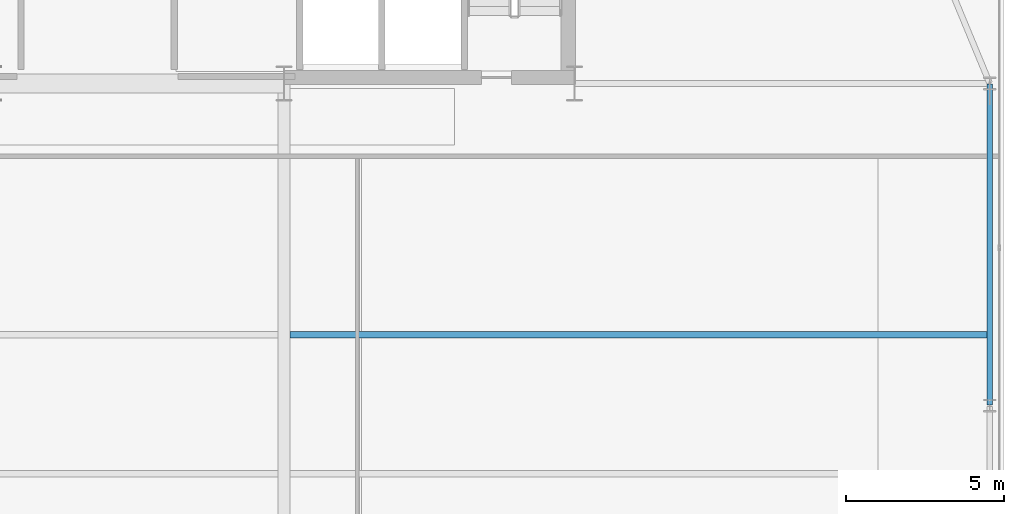
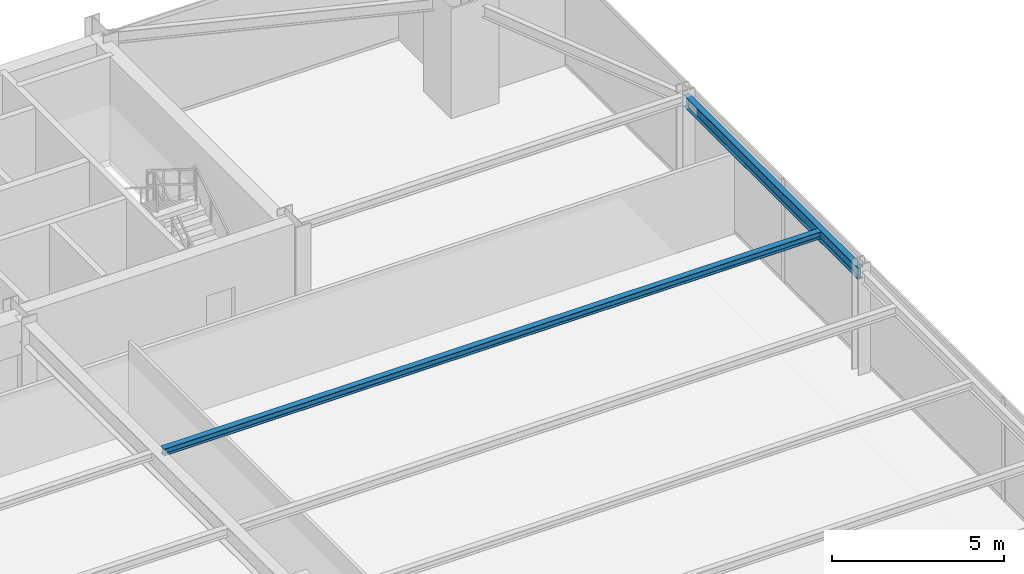
# One storey, part 19 of 32: 2 beams.
"""IFC4 building model written with IfcOpenShell, lengths in metres."""

from ifc_helpers import new_model, si_unit, direction, frame, origin, origin_2d, place, context, subcontext, project, spatial, i_section, extrude, source, transform, mapped, material, material_profile, profile_set, type_object, type_shapes, element, save


model = new_model("IFC4")

# Units and contexts
model_context = context("Model", 3, precision=1e-05, world=origin(), true_north=direction((0.0, 1.0)))
body_context = subcontext(model_context, "Body", "Model", "MODEL_VIEW")
ifc_project = project(units=[si_unit("LENGTHUNIT", "METRE"), si_unit("AREAUNIT", "SQUARE_METRE"), si_unit("VOLUMEUNIT", "CUBIC_METRE"), si_unit("PLANEANGLEUNIT", "RADIAN"), si_unit("MASSUNIT", "GRAM", prefix="KILO")], contexts=[model_context])

# Site, building, storey
site_placement = place(None, origin())
site = spatial("IfcSite", under=ifc_project, at=site_placement, CompositionType="ELEMENT")
building_placement = place(site_placement, origin())
building = spatial("IfcBuilding", under=site, at=building_placement, Name="Varnel Quay Broadcast Tower", CompositionType="ELEMENT")
storey_placement = place(building_placement, frame((0.0, 0.0, 54.89990234375)))
storey = spatial("IfcBuildingStorey", under=building, at=storey_placement, Name="L12", CompositionType="ELEMENT", Elevation=54.89990234375)

# Beams
ifc_material = material(Name="Structural Steel CSA G40.21 350W", Category="steel")
ifc_material_profile_1 = material_profile(ifc_material, i_section(OverallWidth=0.180908203125, OverallDepth=0.4169921875, WebThickness=0.010986328125, FlangeThickness=0.018310546875, FilletRadius=0.011962890625, at=origin_2d()), Name="W410X85")
ifc_profile_set_1 = profile_set([ifc_material_profile_1], Name="Structural Steel CSA G40.21 350W")
beam_type_1 = type_object("IfcBeamType", Name="Beam_W410X85", PredefinedType="SPANDREL", material=ifc_profile_set_1)
shared_shape_1 = source(origin(), body_context, "Body", "SweptSolid", [
    extrude(i_section(OverallWidth=0.180908203125, OverallDepth=0.4169921875, WebThickness=0.010986328125, FlangeThickness=0.018310546875, FilletRadius=0.011962890625, at=origin_2d()), origin(), (0.0, 0.0, 1.0), 10.16015625),
])
type_shapes(beam_type_1, [shared_shape_1])
beam_1_placement = place(storey_placement, frame((65.550048828125, 25.419921875, 3.441650390625), z_axis=(0.0, 1.0, 0.0), x_axis=(-1.0, 0.0, 0.0)))
element("IfcBeam", 1, at=beam_1_placement, inside=storey, type_object=beam_type_1, Name="L12 East Spandrel TC-E2-TC-E3", PredefinedType="SPANDREL", context=body_context, shape_type="MappedRepresentation", body=[
    mapped(shared_shape_1, transform((0.0, 0.0, 0.0), x_axis=(1.0, 0.0, 0.0), y_axis=(0.0, 1.0, 0.0), z_axis=(0.0, 0.0, 1.0), scale=1.0)),
])
ifc_material_profile_2 = material_profile(ifc_material, i_section(OverallWidth=0.201904296875, OverallDepth=0.2470703125, WebThickness=0.00732421875, FlangeThickness=0.010986328125, FilletRadius=0.010986328125, at=origin_2d()), Name="W250X49")
ifc_profile_set_2 = profile_set([ifc_material_profile_2], Name="Structural Steel CSA G40.21 350W")
beam_type_2 = type_object("IfcBeamType", Name="Beam_W250X49", PredefinedType="JOIST", material=ifc_profile_set_2)
shared_shape_2 = source(origin(), body_context, "Body", "SweptSolid", [
    extrude(i_section(OverallWidth=0.201904296875, OverallDepth=0.2470703125, WebThickness=0.00732421875, FlangeThickness=0.010986328125, FilletRadius=0.010986328125, at=origin_2d()), origin(), (0.0, 0.0, 1.0), 22.0791015625),
])
type_shapes(beam_type_2, [shared_shape_2])
beam_2_placement = place(storey_placement, frame((43.385498046875, 27.64990234375, 3.526611328125), z_axis=(1.0, 0.0, 0.0), x_axis=(0.0, 1.0, 0.0)))
element("IfcBeam", 2, at=beam_2_placement, inside=storey, type_object=beam_type_2, Name="L12 East Floor Joist 6", PredefinedType="JOIST", context=body_context, shape_type="MappedRepresentation", body=[
    mapped(shared_shape_2, transform((0.0, 0.0, 0.0), x_axis=(1.0, 0.0, 0.0), y_axis=(0.0, 1.0, 0.0), z_axis=(0.0, 0.0, 1.0), scale=1.0)),
])

save(model, "model.ifc")
